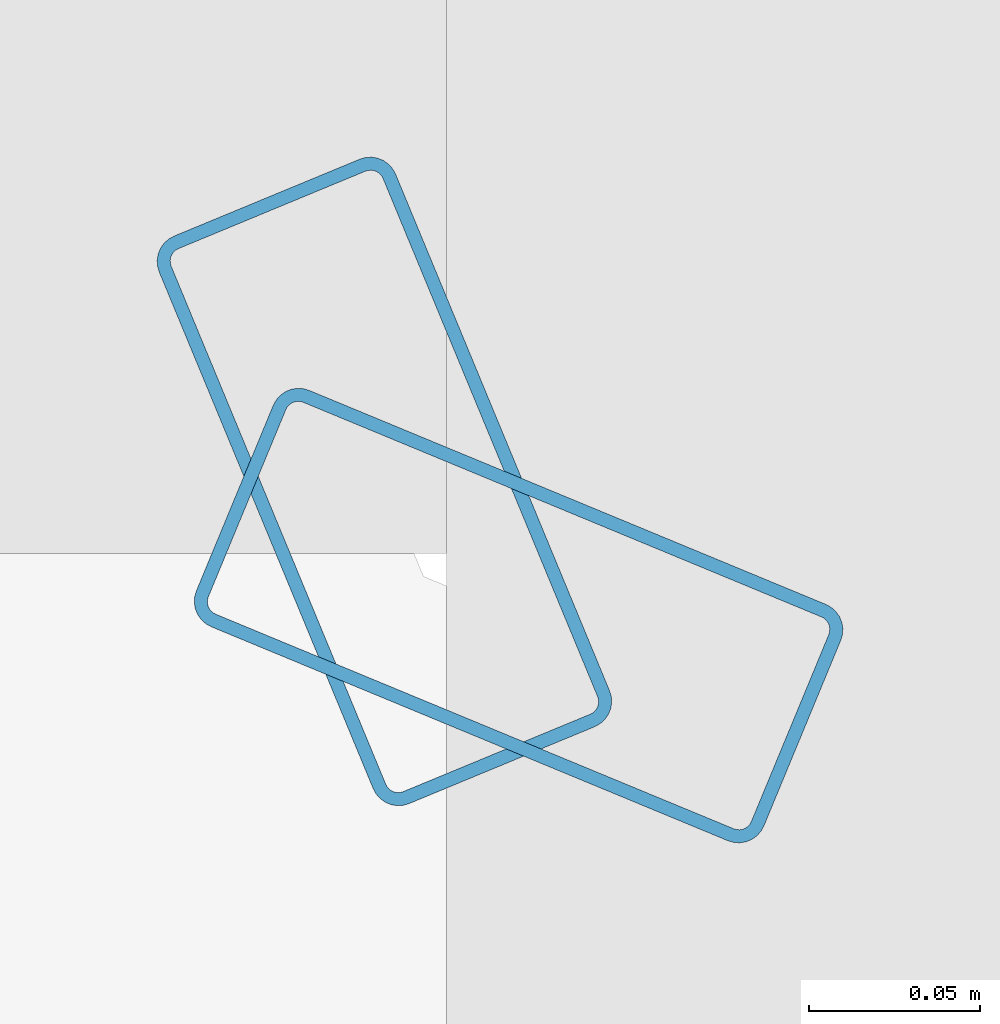
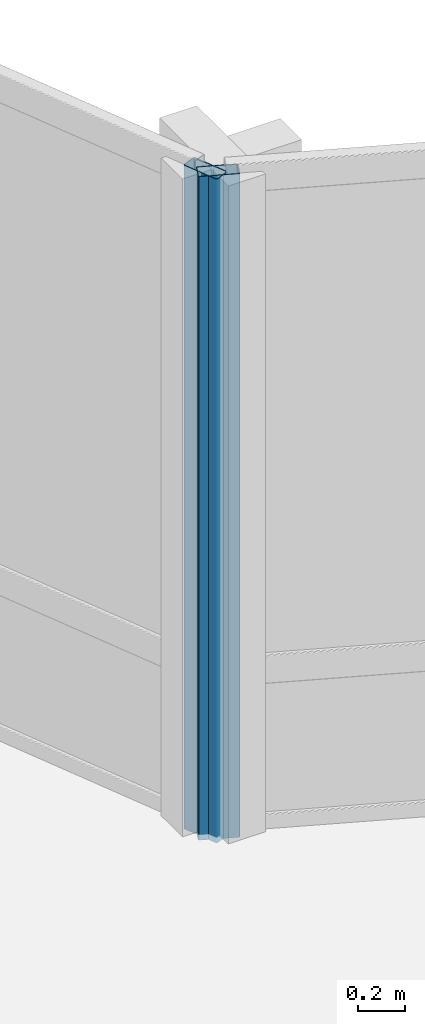
# One storey, part 8 of 34: 2 members, 2 elements without a shape of their own.
"""IFC4 building model written with IfcOpenShell, lengths in metres."""

from ifc_helpers import new_model, si_unit, direction, frame, origin, origin_2d, place, context, subcontext, project, spatial, hollow_rectangle, extrude, material, layer, layer_set, material_profile, profile_set, type_object, element, aggregate, save


model = new_model("IFC4")

# Units and contexts
model_context = context("Model", 3, precision=1e-05, world=origin(), true_north=direction((0.0, 1.0)))
body_context = subcontext(model_context, "Body", "Model", "MODEL_VIEW")
ifc_project = project(units=[si_unit("LENGTHUNIT", "METRE"), si_unit("AREAUNIT", "SQUARE_METRE"), si_unit("VOLUMEUNIT", "CUBIC_METRE"), si_unit("PLANEANGLEUNIT", "RADIAN"), si_unit("MASSUNIT", "GRAM", prefix="KILO")], contexts=[model_context])

# Site, building, storey
site_placement = place(None, origin())
site = spatial("IfcSite", under=ifc_project, at=site_placement, CompositionType="ELEMENT")
building_placement = place(site_placement, origin())
building = spatial("IfcBuilding", under=site, at=building_placement, Name="Solvaryn Broadcast Tower", CompositionType="ELEMENT")
storey_placement = place(building_placement, frame((0.0, 0.0, 76.699951171875)))
storey = spatial("IfcBuildingStorey", under=building, at=storey_placement, Name="L18", CompositionType="ELEMENT", Elevation=76.699951171875)

# Curtain wall, member
ifc_material_1 = material(Name="Aluminium and Terracotta Unitised Curtain Wall", Category="masonry")
ifc_layer = layer(ifc_material_1, 0.199951171875)
ifc_layer_set = layer_set([ifc_layer], Name="CW-SYS2-LOWMID")
curtain_wall_type = type_object("IfcCurtainWallType", Name="CW-SYS2-LOWMID", PredefinedType="NOTDEFINED", material=ifc_layer_set)
curtain_wall_1_placement = place(storey_placement, origin())
curtain_wall_1 = element("IfcCurtainWall", 1, at=curtain_wall_1_placement, inside=storey, type_object=curtain_wall_type, Name="L18 Curtain Wall CN1", PredefinedType="NOTDEFINED")
ifc_material_2 = material(Name="Anodised Aluminium 6063-T6", Category="aluminium")
ifc_material_profile = material_profile(ifc_material_2, hollow_rectangle(XDim=0.074951171875, YDim=0.179931640625, WallThickness=0.00390625, InnerFilletRadius=0.00390625, OuterFilletRadius=0.008056640625, at=origin_2d()))
ifc_profile_set = profile_set([ifc_material_profile], Name="Anodised Aluminium 6063-T6")
member_type = type_object("IfcMemberType", Name="CW-MUL-180", PredefinedType="MULLION", material=ifc_profile_set)
member_1_placement = place(storey_placement, frame((30.395751953125, 30.3564453125, 0.0), z_axis=(0.0, 0.0, 1.0), x_axis=(-0.382646127145, -0.923894983957, 0.0)))
member_1 = element("IfcMember", 2, at=member_1_placement, type_object=member_type, Name="CWS2 mullion 2", PredefinedType="MULLION", context=body_context, shape_type="SweptSolid", body=[
    extrude(hollow_rectangle(XDim=0.074951171875, YDim=0.179931640625, WallThickness=0.00390625, InnerFilletRadius=0.00390625, OuterFilletRadius=0.008056640625, at=origin_2d()), origin(), (0.0, 0.0, 1.0), 3.420166015625),
])
aggregate(curtain_wall_1, [member_1])

curtain_wall_2_placement = place(storey_placement, origin())
curtain_wall_2 = element("IfcCurtainWall", 3, at=curtain_wall_2_placement, inside=storey, type_object=curtain_wall_type, Name="L18 Curtain Wall CN2", PredefinedType="NOTDEFINED")
member_2_placement = place(storey_placement, frame((30.3564453125, 30.395751953125, 0.0), z_axis=(0.0, 0.0, 1.0), x_axis=(-0.923894983957, -0.382646127145, 0.0)))
member_2 = element("IfcMember", 4, at=member_2_placement, type_object=member_type, Name="CWS2 mullion 1", PredefinedType="MULLION", context=body_context, shape_type="SweptSolid", body=[
    extrude(hollow_rectangle(XDim=0.074951171875, YDim=0.179931640625, WallThickness=0.00390625, InnerFilletRadius=0.00390625, OuterFilletRadius=0.008056640625, at=origin_2d()), origin(), (0.0, 0.0, 1.0), 3.420166015625),
])
aggregate(curtain_wall_2, [member_2])

save(model, "model.ifc")
